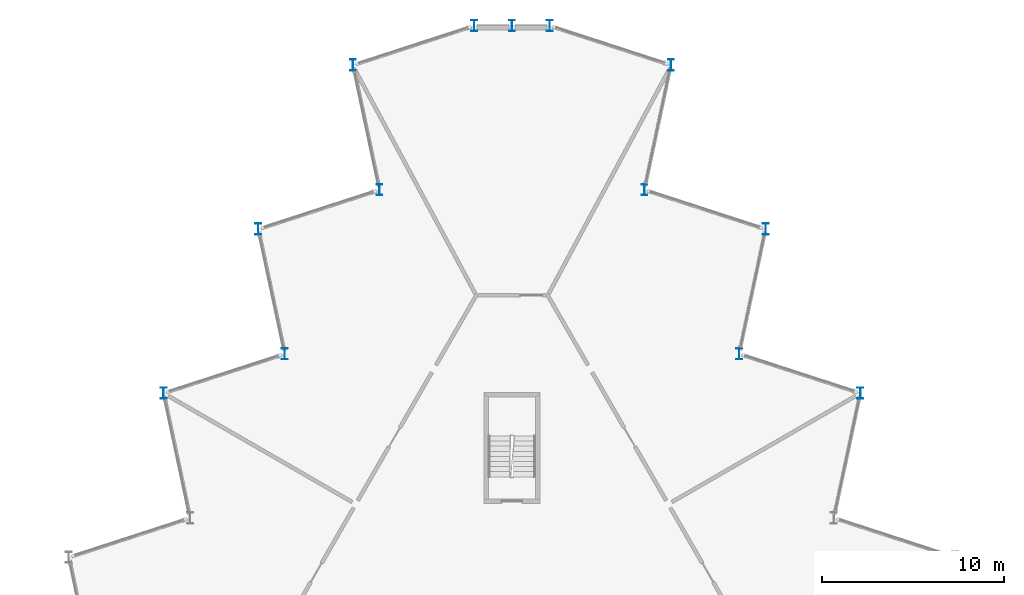
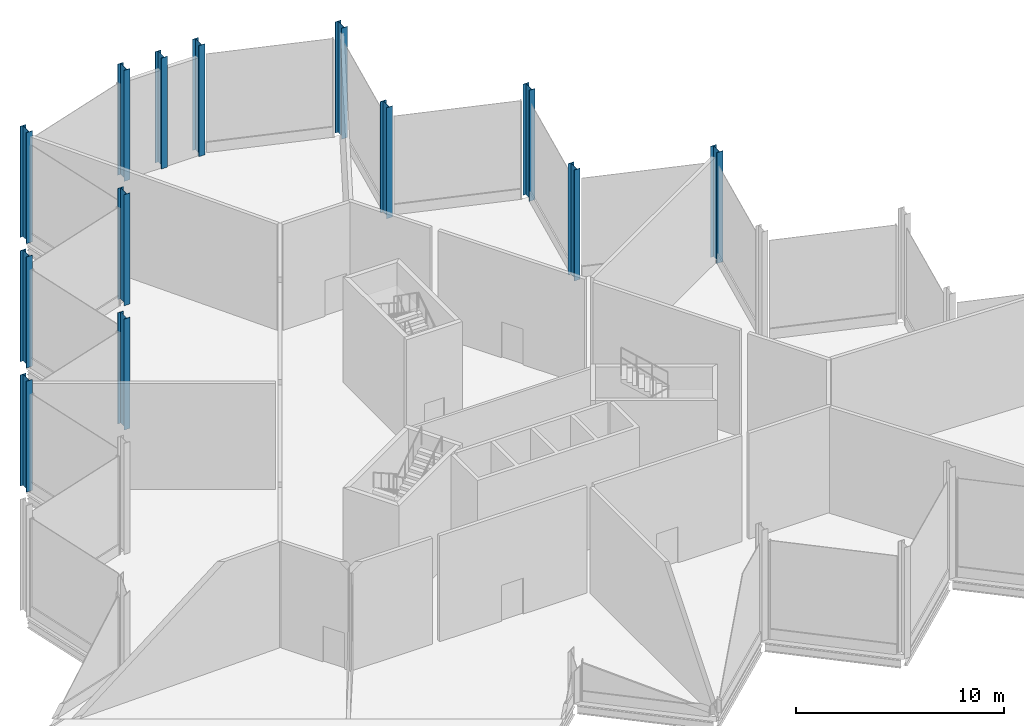
# One storey, part 3 of 12: 13 columns.
"""IFC4 building model written with IfcOpenShell, lengths in metres."""

from ifc_helpers import new_model, si_unit, direction, frame, origin, origin_2d, place, context, subcontext, project, spatial, i_section, extrude, material, material_profile, profile_set, type_object, element, save


model = new_model("IFC4")

# Units and contexts
model_context = context("Model", 3, precision=1e-05, world=origin(), true_north=direction((0.0, 1.0)))
body_context = subcontext(model_context, "Body", "Model", "MODEL_VIEW")
ifc_project = project(units=[si_unit("LENGTHUNIT", "METRE"), si_unit("AREAUNIT", "SQUARE_METRE"), si_unit("VOLUMEUNIT", "CUBIC_METRE"), si_unit("PLANEANGLEUNIT", "RADIAN"), si_unit("MASSUNIT", "GRAM", prefix="KILO")], contexts=[model_context])

# Site, building, storey
site_placement = place(None, origin())
site = spatial("IfcSite", under=ifc_project, at=site_placement, CompositionType="ELEMENT")
building_placement = place(site_placement, origin())
building = spatial("IfcBuilding", under=site, at=building_placement, Name="Cormorant Prow Tower", CompositionType="ELEMENT")
storey_placement = place(building_placement, frame((0.0, 0.0, 415.199951171875)))
storey = spatial("IfcBuildingStorey", under=building, at=storey_placement, Name="L94", CompositionType="ELEMENT", Elevation=415.199951171875)

# Columns
ifc_material = material(Name="Structural steel ASTM A992 Gr 50", Category="steel")
ifc_material_profile = material_profile(ifc_material, i_section(OverallWidth=0.326416015625, OverallDepth=0.621826171875, WebThickness=0.015380859375, FlangeThickness=0.0244140625, at=origin_2d()), Name="W24x131")
ifc_profile_set = profile_set([ifc_material_profile], Name="Structural steel ASTM A992 Gr 50")
column_type = type_object("IfcColumnType", Name="Crown frame column W24x131", PredefinedType="COLUMN", material=ifc_profile_set)
for number, where, z_axis, x_axis, name in (
    (1, (19.128662109375, 11.0439453125, 0.0), (0.0, 0.0, 1.0), (1.0, 0.0, 0.0), "Crown frame column at ENE05 L94"),
    (2, (12.473876953125, 13.206298828125, 0.0), (0.0, 0.0, 1.0), (1.0, 0.0, 0.0), "Crown frame column at ENE06 L94"),
    (3, (13.9287109375, 20.050537109375, 0.0), (0.0, 0.0, 1.0), (1.0, 0.0, 0.0), "Crown frame column at ENE07 L94"),
    (4, (7.273681640625, 22.212890625, 0.0), (0.0, 0.0, 1.0), (1.0, 0.0, 0.0), "Crown frame column at ENE08 L94"),
    (5, (8.728515625, 29.05712890625, 0.0), (0.0, 0.0, 1.0), (1.0, 0.0, 0.0), "Crown frame column at ENE09 L94"),
    (6, (2.07373046875, 31.219482421875, 0.0), (0.0, 0.0, 1.0), (1.0, 0.0, 0.0), "Crown frame column at N00 L94"),
    (7, (0.0, 31.219482421875, 0.0), (0.0, 0.0, 1.0), (1.0, 0.0, 0.0), "Crown frame column at N01 L94"),
    (8, (-2.07373046875, 31.219482421875, 0.0), (0.0, 0.0, 1.0), (1.0, 0.0, 0.0), "Crown frame column at WNW00 L94"),
    (9, (-8.728515625, 29.05712890625, 0.0), (0.0, 0.0, 1.0), (1.0, 0.0, 0.0), "Crown frame column at WNW01 L94"),
    (10, (-7.273681640625, 22.212890625, 0.0), (0.0, 0.0, 1.0), (1.0, 0.0, 0.0), "Crown frame column at WNW02 L94"),
    (11, (-13.9287109375, 20.050537109375, 0.0), (0.0, 0.0, 1.0), (1.0, 0.0, 0.0), "Crown frame column at WNW03 L94"),
    (12, (-12.473876953125, 13.206298828125, 0.0), (0.0, 0.0, 1.0), (1.0, 0.0, 0.0), "Crown frame column at WNW04 L94"),
    (13, (-19.128662109375, 11.0439453125, 0.0), (0.0, 0.0, 1.0), (1.0, 0.0, 0.0), "Crown frame column at WNW05 L94"),
):
    element("IfcColumn", number, at=place(storey_placement, frame(where, z_axis=z_axis, x_axis=x_axis)), inside=storey, type_object=column_type, Name=name, PredefinedType="COLUMN", context=body_context, shape_type="SweptSolid", body=[
        extrude(i_section(OverallWidth=0.326416015625, OverallDepth=0.621826171875, WebThickness=0.015380859375, FlangeThickness=0.0244140625, at=origin_2d()), origin(), (0.0, 0.0, 1.0), 6.5),
    ])

save(model, "model.ifc")
